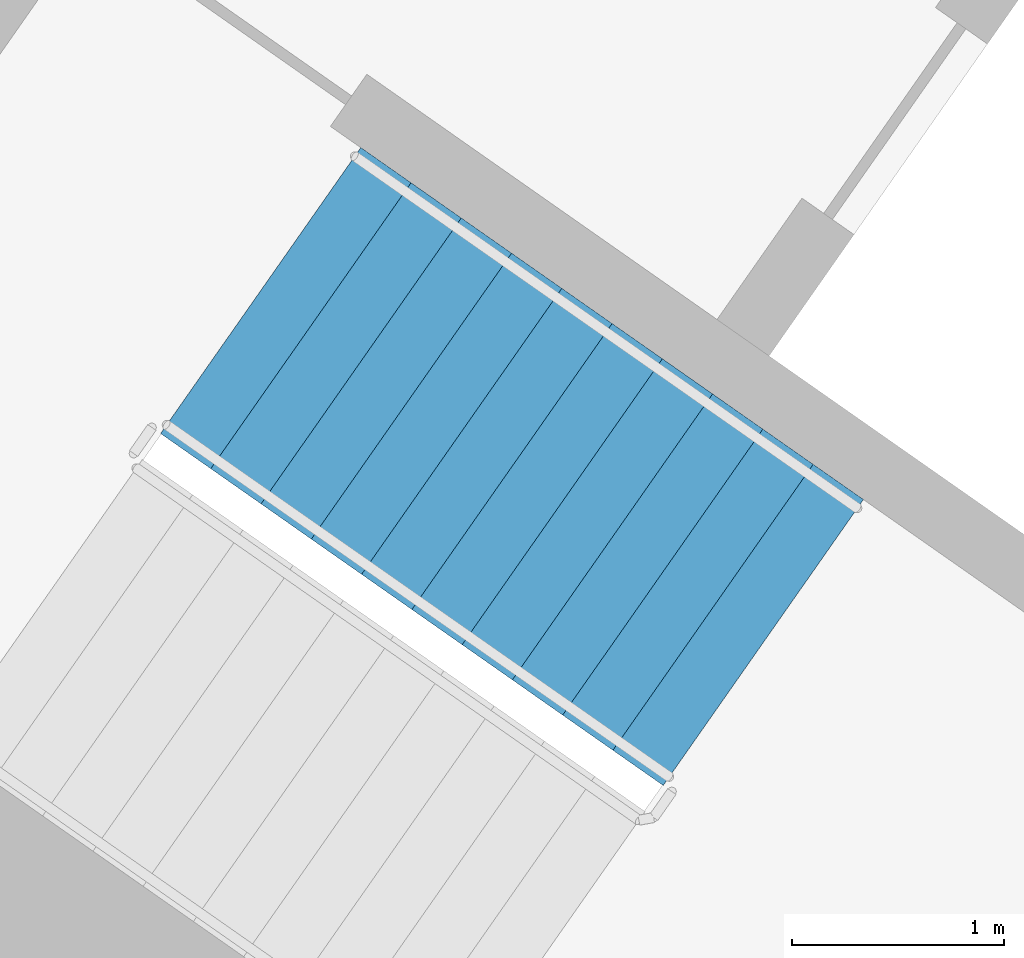
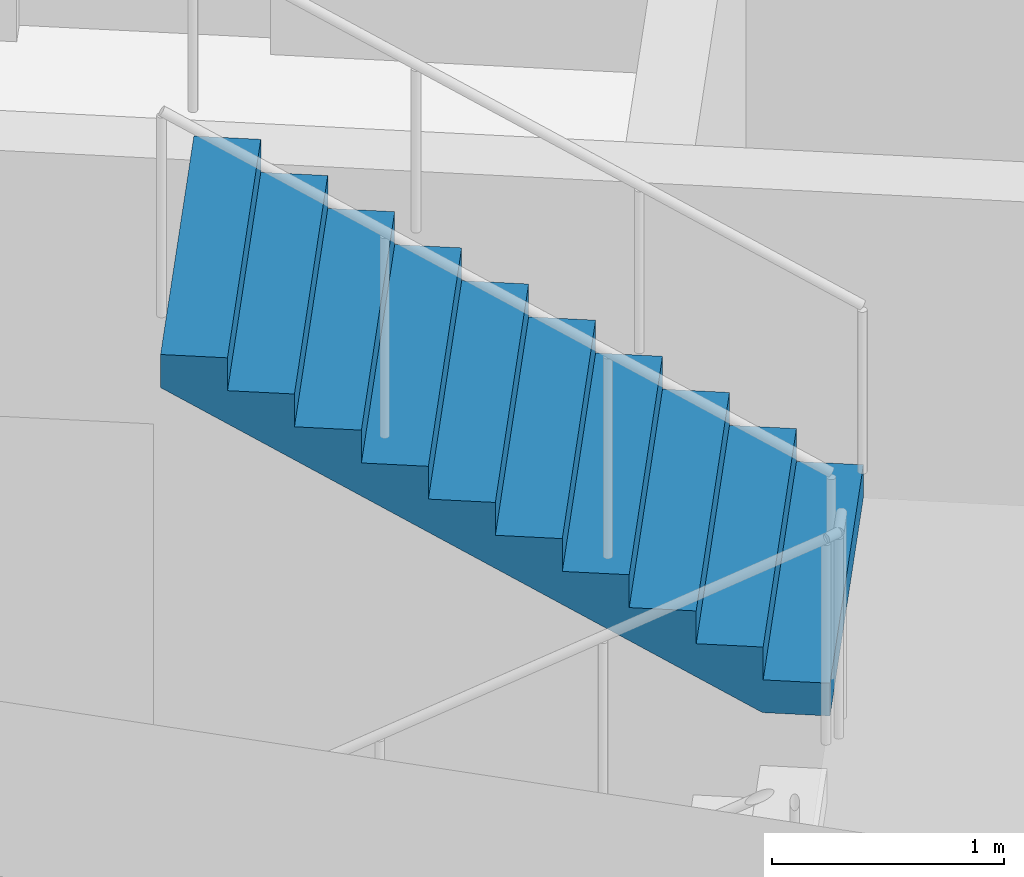
# One storey, part 10 of 29: 1 stair flight, 1 element without a shape of its own.
"""IFC4 building model written with IfcOpenShell, lengths in metres."""

from ifc_helpers import new_model, si_unit, direction, frame, origin, place, context, subcontext, project, spatial, faceted_brep, material, type_object, element, aggregate, save


model = new_model("IFC4")

# Units and contexts
model_context = context("Model", 3, precision=1e-05, world=origin(), true_north=direction((0.0, 1.0)))
body_context = subcontext(model_context, "Body", "Model", "MODEL_VIEW")
ifc_project = project(units=[si_unit("LENGTHUNIT", "METRE"), si_unit("AREAUNIT", "SQUARE_METRE"), si_unit("VOLUMEUNIT", "CUBIC_METRE"), si_unit("PLANEANGLEUNIT", "RADIAN"), si_unit("MASSUNIT", "GRAM", prefix="KILO")], contexts=[model_context])

# Site, building, storey
site_placement = place(None, origin())
site = spatial("IfcSite", under=ifc_project, at=site_placement, CompositionType="ELEMENT")
building_placement = place(site_placement, origin())
building = spatial("IfcBuilding", under=site, at=building_placement, Name="Qamariyya Broadcast Tower", CompositionType="ELEMENT")
storey_placement = place(building_placement, frame((0.0, 0.0, 132.89990234375)))
storey = spatial("IfcBuildingStorey", under=building, at=storey_placement, Name="L30", CompositionType="ELEMENT", Elevation=132.89990234375)

# Stair, stair flight
ifc_material = material(Name="Concrete C50/60", Category="concrete")
stair_type = type_object("IfcStairType", Name="Exit stair 22 risers of 173 mm", PredefinedType="HALF_TURN_STAIR", material=ifc_material)
stair_placement = place(storey_placement, origin())
stair = element("IfcStair", 1, at=stair_placement, inside=storey, type_object=stair_type, Name="L30 Stair W1", PredefinedType="HALF_TURN_STAIR")
stair_flight_type = type_object("IfcStairFlightType", Name="Exit stair flight 11 risers of 173 mm", PredefinedType="STRAIGHT", material=ifc_material)
stair_flight_placement = place(storey_placement, frame((-43.660888671875, -57.17138671875, 1.900146484375), z_axis=(0.0, 0.0, 1.0), x_axis=(-0.819152044289, 0.573576436351, 0.0)))
stair_flight = element("IfcStairFlight", 2, at=stair_flight_placement, type_object=stair_flight_type, Name="ST-W1 flight 2", NumberOfRisers=11, NumberOfTreads=10, PredefinedType="STRAIGHT", RiserHeight=0.172727273, TreadLength=0.29, context=body_context, shape_type="Brep", body=[
    faceted_brep([(0.0, 0.824951171875, 0.0), (0.0, 0.824951171875, 0.172607421875), (0.2900390625, 0.824951171875, 0.172607421875), (0.2900390625, 0.824951171875, 0.345458984375), (0.580078125, 0.824951171875, 0.345458984375), (0.580078125, 0.824951171875, 0.51806640625), (0.8701171875, 0.824951171875, 0.51806640625), (0.8701171875, 0.824951171875, 0.69091796875), (1.159912109375, 0.824951171875, 0.69091796875), (1.159912109375, 0.824951171875, 0.863525390625), (1.449951171875, 0.824951171875, 0.863525390625), (1.449951171875, 0.824951171875, 1.036376953125), (1.739990234375, 0.824951171875, 1.036376953125), (1.739990234375, 0.824951171875, 1.208984375), (2.030029296875, 0.824951171875, 1.208984375), (2.030029296875, 0.824951171875, 1.3818359375), (2.320068359375, 0.824951171875, 1.3818359375), (2.320068359375, 0.824951171875, 1.554443359375), (2.610107421875, 0.824951171875, 1.554443359375), (2.610107421875, 0.824951171875, 1.727294921875), (2.89990234375, 0.824951171875, 1.727294921875), (2.89990234375, 0.824951171875, 1.552734375), (0.29296875, 0.824951171875, 0.0), (0.29296875, -0.824951171875, 0.0), (2.89990234375, -0.824951171875, 1.552734375), (2.89990234375, -0.824951171875, 1.727294921875), (2.610107421875, -0.824951171875, 1.727294921875), (2.610107421875, -0.824951171875, 1.554443359375), (2.320068359375, -0.824951171875, 1.554443359375), (2.320068359375, -0.824951171875, 1.3818359375), (2.030029296875, -0.824951171875, 1.3818359375), (2.030029296875, -0.824951171875, 1.208984375), (1.739990234375, -0.824951171875, 1.208984375), (1.739990234375, -0.824951171875, 1.036376953125), (1.449951171875, -0.824951171875, 1.036376953125), (1.449951171875, -0.824951171875, 0.863525390625), (1.159912109375, -0.824951171875, 0.863525390625), (1.159912109375, -0.824951171875, 0.69091796875), (0.8701171875, -0.824951171875, 0.69091796875), (0.8701171875, -0.824951171875, 0.51806640625), (0.580078125, -0.824951171875, 0.51806640625), (0.580078125, -0.824951171875, 0.345458984375), (0.2900390625, -0.824951171875, 0.345458984375), (0.2900390625, -0.824951171875, 0.172607421875), (0.0, -0.824951171875, 0.172607421875), (0.0, -0.824951171875, 0.0), (0.0, 0.10009765625, 0.0), (0.0, 0.086669921875, 0.0), (0.0, 0.0732421875, 0.0), (0.0, 0.06005859375, 0.0), (0.0, 0.046630859375, 0.0), (0.0, 0.033447265625, 0.0), (0.0, 0.02001953125, 0.0), (0.0, 0.006591796875, 0.0), (0.0, -0.006591796875, 0.0), (0.0, -0.02001953125, 0.0), (0.0, -0.033447265625, 0.0), (0.0, -0.046630859375, 0.0), (0.0, -0.06005859375, 0.0), (0.0, -0.0732421875, 0.0), (0.0, -0.086669921875, 0.0), (0.0, -0.10009765625, 0.0), (0.0, -0.10009765625, 0.172607421875), (0.0, -0.086669921875, 0.172607421875), (0.0, -0.0732421875, 0.172607421875), (0.0, -0.06005859375, 0.172607421875), (0.0, -0.046630859375, 0.172607421875), (0.0, -0.033447265625, 0.172607421875), (0.0, -0.02001953125, 0.172607421875), (0.0, -0.006591796875, 0.172607421875), (0.0, 0.006591796875, 0.172607421875), (0.0, 0.02001953125, 0.172607421875), (0.0, 0.033447265625, 0.172607421875), (0.0, 0.046630859375, 0.172607421875), (0.0, 0.06005859375, 0.172607421875), (0.0, 0.0732421875, 0.172607421875), (0.0, 0.086669921875, 0.172607421875), (0.0, 0.10009765625, 0.172607421875), (0.2900390625, -0.10009765625, 0.172607421875), (0.2900390625, -0.086669921875, 0.172607421875), (0.2900390625, -0.0732421875, 0.172607421875), (0.2900390625, -0.06005859375, 0.172607421875), (0.2900390625, -0.046630859375, 0.172607421875), (0.2900390625, -0.033447265625, 0.172607421875), (0.2900390625, -0.02001953125, 0.172607421875), (0.2900390625, -0.006591796875, 0.172607421875), (0.2900390625, 0.006591796875, 0.172607421875), (0.2900390625, 0.02001953125, 0.172607421875), (0.2900390625, 0.033447265625, 0.172607421875), (0.2900390625, 0.046630859375, 0.172607421875), (0.2900390625, 0.06005859375, 0.172607421875), (0.2900390625, 0.0732421875, 0.172607421875), (0.2900390625, 0.086669921875, 0.172607421875), (0.2900390625, 0.10009765625, 0.172607421875), (0.2900390625, -0.10009765625, 0.345458984375), (0.2900390625, -0.086669921875, 0.345458984375), (0.2900390625, -0.0732421875, 0.345458984375), (0.2900390625, -0.06005859375, 0.345458984375), (0.2900390625, -0.046630859375, 0.345458984375), (0.2900390625, -0.033447265625, 0.345458984375), (0.2900390625, -0.02001953125, 0.345458984375), (0.2900390625, -0.006591796875, 0.345458984375), (0.2900390625, 0.006591796875, 0.345458984375), (0.2900390625, 0.02001953125, 0.345458984375), (0.2900390625, 0.033447265625, 0.345458984375), (0.2900390625, 0.046630859375, 0.345458984375), (0.2900390625, 0.06005859375, 0.345458984375), (0.2900390625, 0.0732421875, 0.345458984375), (0.2900390625, 0.086669921875, 0.345458984375), (0.2900390625, 0.10009765625, 0.345458984375), (0.580078125, -0.10009765625, 0.345458984375), (0.580078125, -0.086669921875, 0.345458984375), (0.580078125, -0.0732421875, 0.345458984375), (0.580078125, -0.06005859375, 0.345458984375), (0.580078125, -0.046630859375, 0.345458984375), (0.580078125, -0.033447265625, 0.345458984375), (0.580078125, -0.02001953125, 0.345458984375), (0.580078125, -0.006591796875, 0.345458984375), (0.580078125, 0.006591796875, 0.345458984375), (0.580078125, 0.02001953125, 0.345458984375), (0.580078125, 0.033447265625, 0.345458984375), (0.580078125, 0.046630859375, 0.345458984375), (0.580078125, 0.06005859375, 0.345458984375), (0.580078125, 0.0732421875, 0.345458984375), (0.580078125, 0.086669921875, 0.345458984375), (0.580078125, 0.10009765625, 0.345458984375), (0.580078125, -0.10009765625, 0.51806640625), (0.580078125, -0.086669921875, 0.51806640625), (0.580078125, -0.0732421875, 0.51806640625), (0.580078125, -0.06005859375, 0.51806640625), (0.580078125, -0.046630859375, 0.51806640625), (0.580078125, -0.033447265625, 0.51806640625), (0.580078125, -0.02001953125, 0.51806640625), (0.580078125, -0.006591796875, 0.51806640625), (0.580078125, 0.006591796875, 0.51806640625), (0.580078125, 0.02001953125, 0.51806640625), (0.580078125, 0.033447265625, 0.51806640625), (0.580078125, 0.046630859375, 0.51806640625), (0.580078125, 0.06005859375, 0.51806640625), (0.580078125, 0.0732421875, 0.51806640625), (0.580078125, 0.086669921875, 0.51806640625), (0.580078125, 0.10009765625, 0.51806640625), (0.8701171875, -0.10009765625, 0.51806640625), (0.8701171875, -0.086669921875, 0.51806640625), (0.8701171875, -0.0732421875, 0.51806640625), (0.8701171875, -0.06005859375, 0.51806640625), (0.8701171875, -0.046630859375, 0.51806640625), (0.8701171875, -0.033447265625, 0.51806640625), (0.8701171875, -0.02001953125, 0.51806640625), (0.8701171875, -0.006591796875, 0.51806640625), (0.8701171875, 0.006591796875, 0.51806640625), (0.8701171875, 0.02001953125, 0.51806640625), (0.8701171875, 0.033447265625, 0.51806640625), (0.8701171875, 0.046630859375, 0.51806640625), (0.8701171875, 0.06005859375, 0.51806640625), (0.8701171875, 0.0732421875, 0.51806640625), (0.8701171875, 0.086669921875, 0.51806640625), (0.8701171875, 0.10009765625, 0.51806640625), (0.8701171875, -0.10009765625, 0.69091796875), (0.8701171875, -0.086669921875, 0.69091796875), (0.8701171875, -0.0732421875, 0.69091796875), (0.8701171875, -0.06005859375, 0.69091796875), (0.8701171875, -0.046630859375, 0.69091796875), (0.8701171875, -0.033447265625, 0.69091796875), (0.8701171875, -0.02001953125, 0.69091796875), (0.8701171875, -0.006591796875, 0.69091796875), (0.8701171875, 0.006591796875, 0.69091796875), (0.8701171875, 0.02001953125, 0.69091796875), (0.8701171875, 0.033447265625, 0.69091796875), (0.8701171875, 0.046630859375, 0.69091796875), (0.8701171875, 0.06005859375, 0.69091796875), (0.8701171875, 0.0732421875, 0.69091796875), (0.8701171875, 0.086669921875, 0.69091796875), (0.8701171875, 0.10009765625, 0.69091796875), (1.159912109375, -0.10009765625, 0.69091796875), (1.159912109375, -0.086669921875, 0.69091796875), (1.159912109375, -0.0732421875, 0.69091796875), (1.159912109375, -0.06005859375, 0.69091796875), (1.159912109375, -0.046630859375, 0.69091796875), (1.159912109375, -0.033447265625, 0.69091796875), (1.159912109375, -0.02001953125, 0.69091796875), (1.159912109375, -0.006591796875, 0.69091796875), (1.159912109375, 0.006591796875, 0.69091796875), (1.159912109375, 0.02001953125, 0.69091796875), (1.159912109375, 0.033447265625, 0.69091796875), (1.159912109375, 0.046630859375, 0.69091796875), (1.159912109375, 0.06005859375, 0.69091796875), (1.159912109375, 0.0732421875, 0.69091796875), (1.159912109375, 0.086669921875, 0.69091796875), (1.159912109375, 0.10009765625, 0.69091796875), (1.159912109375, -0.10009765625, 0.863525390625), (1.159912109375, -0.086669921875, 0.863525390625), (1.159912109375, -0.0732421875, 0.863525390625), (1.159912109375, -0.06005859375, 0.863525390625), (1.159912109375, -0.046630859375, 0.863525390625), (1.159912109375, -0.033447265625, 0.863525390625), (1.159912109375, -0.02001953125, 0.863525390625), (1.159912109375, -0.006591796875, 0.863525390625), (1.159912109375, 0.006591796875, 0.863525390625), (1.159912109375, 0.02001953125, 0.863525390625), (1.159912109375, 0.033447265625, 0.863525390625), (1.159912109375, 0.046630859375, 0.863525390625), (1.159912109375, 0.06005859375, 0.863525390625), (1.159912109375, 0.0732421875, 0.863525390625), (1.159912109375, 0.086669921875, 0.863525390625), (1.159912109375, 0.10009765625, 0.863525390625), (1.449951171875, -0.10009765625, 0.863525390625), (1.449951171875, -0.086669921875, 0.863525390625), (1.449951171875, -0.0732421875, 0.863525390625), (1.449951171875, -0.06005859375, 0.863525390625), (1.449951171875, -0.046630859375, 0.863525390625), (1.449951171875, -0.033447265625, 0.863525390625), (1.449951171875, -0.02001953125, 0.863525390625), (1.449951171875, -0.006591796875, 0.863525390625), (1.449951171875, 0.006591796875, 0.863525390625), (1.449951171875, 0.02001953125, 0.863525390625), (1.449951171875, 0.033447265625, 0.863525390625), (1.449951171875, 0.046630859375, 0.863525390625), (1.449951171875, 0.06005859375, 0.863525390625), (1.449951171875, 0.0732421875, 0.863525390625), (1.449951171875, 0.086669921875, 0.863525390625), (1.449951171875, 0.10009765625, 0.863525390625), (1.449951171875, -0.10009765625, 1.036376953125), (1.449951171875, -0.086669921875, 1.036376953125), (1.449951171875, -0.0732421875, 1.036376953125), (1.449951171875, -0.06005859375, 1.036376953125), (1.449951171875, -0.046630859375, 1.036376953125), (1.449951171875, -0.033447265625, 1.036376953125), (1.449951171875, -0.02001953125, 1.036376953125), (1.449951171875, -0.006591796875, 1.036376953125), (1.449951171875, 0.006591796875, 1.036376953125), (1.449951171875, 0.02001953125, 1.036376953125), (1.449951171875, 0.033447265625, 1.036376953125), (1.449951171875, 0.046630859375, 1.036376953125), (1.449951171875, 0.06005859375, 1.036376953125), (1.449951171875, 0.0732421875, 1.036376953125), (1.449951171875, 0.086669921875, 1.036376953125), (1.449951171875, 0.10009765625, 1.036376953125), (1.739990234375, -0.10009765625, 1.036376953125), (1.739990234375, -0.086669921875, 1.036376953125), (1.739990234375, -0.0732421875, 1.036376953125), (1.739990234375, -0.06005859375, 1.036376953125), (1.739990234375, -0.046630859375, 1.036376953125), (1.739990234375, -0.033447265625, 1.036376953125), (1.739990234375, -0.02001953125, 1.036376953125), (1.739990234375, -0.006591796875, 1.036376953125), (1.739990234375, 0.006591796875, 1.036376953125), (1.739990234375, 0.02001953125, 1.036376953125), (1.739990234375, 0.033447265625, 1.036376953125), (1.739990234375, 0.046630859375, 1.036376953125), (1.739990234375, 0.06005859375, 1.036376953125), (1.739990234375, 0.0732421875, 1.036376953125), (1.739990234375, 0.086669921875, 1.036376953125), (1.739990234375, 0.10009765625, 1.036376953125), (1.739990234375, -0.10009765625, 1.208984375), (1.739990234375, -0.086669921875, 1.208984375), (1.739990234375, -0.0732421875, 1.208984375), (1.739990234375, -0.06005859375, 1.208984375), (1.739990234375, -0.046630859375, 1.208984375), (1.739990234375, -0.033447265625, 1.208984375), (1.739990234375, -0.02001953125, 1.208984375), (1.739990234375, -0.006591796875, 1.208984375), (1.739990234375, 0.006591796875, 1.208984375), (1.739990234375, 0.02001953125, 1.208984375), (1.739990234375, 0.033447265625, 1.208984375), (1.739990234375, 0.046630859375, 1.208984375), (1.739990234375, 0.06005859375, 1.208984375), (1.739990234375, 0.0732421875, 1.208984375), (1.739990234375, 0.086669921875, 1.208984375), (1.739990234375, 0.10009765625, 1.208984375), (2.030029296875, -0.10009765625, 1.208984375), (2.030029296875, -0.086669921875, 1.208984375), (2.030029296875, -0.0732421875, 1.208984375), (2.030029296875, -0.06005859375, 1.208984375), (2.030029296875, -0.046630859375, 1.208984375), (2.030029296875, -0.033447265625, 1.208984375), (2.030029296875, -0.02001953125, 1.208984375), (2.030029296875, -0.006591796875, 1.208984375), (2.030029296875, 0.006591796875, 1.208984375), (2.030029296875, 0.02001953125, 1.208984375), (2.030029296875, 0.033447265625, 1.208984375), (2.030029296875, 0.046630859375, 1.208984375), (2.030029296875, 0.06005859375, 1.208984375), (2.030029296875, 0.0732421875, 1.208984375), (2.030029296875, 0.086669921875, 1.208984375), (2.030029296875, 0.10009765625, 1.208984375), (2.030029296875, -0.10009765625, 1.3818359375), (2.030029296875, -0.086669921875, 1.3818359375), (2.030029296875, -0.0732421875, 1.3818359375), (2.030029296875, -0.06005859375, 1.3818359375), (2.030029296875, -0.046630859375, 1.3818359375), (2.030029296875, -0.033447265625, 1.3818359375), (2.030029296875, -0.02001953125, 1.3818359375), (2.030029296875, -0.006591796875, 1.3818359375), (2.030029296875, 0.006591796875, 1.3818359375), (2.030029296875, 0.02001953125, 1.3818359375), (2.030029296875, 0.033447265625, 1.3818359375), (2.030029296875, 0.046630859375, 1.3818359375), (2.030029296875, 0.06005859375, 1.3818359375), (2.030029296875, 0.0732421875, 1.3818359375), (2.030029296875, 0.086669921875, 1.3818359375), (2.030029296875, 0.10009765625, 1.3818359375), (2.320068359375, -0.10009765625, 1.3818359375), (2.320068359375, -0.086669921875, 1.3818359375), (2.320068359375, -0.0732421875, 1.3818359375), (2.320068359375, -0.06005859375, 1.3818359375), (2.320068359375, -0.046630859375, 1.3818359375), (2.320068359375, -0.033447265625, 1.3818359375), (2.320068359375, -0.02001953125, 1.3818359375), (2.320068359375, -0.006591796875, 1.3818359375), (2.320068359375, 0.006591796875, 1.3818359375), (2.320068359375, 0.02001953125, 1.3818359375), (2.320068359375, 0.033447265625, 1.3818359375), (2.320068359375, 0.046630859375, 1.3818359375), (2.320068359375, 0.06005859375, 1.3818359375), (2.320068359375, 0.0732421875, 1.3818359375), (2.320068359375, 0.086669921875, 1.3818359375), (2.320068359375, 0.10009765625, 1.3818359375), (2.320068359375, -0.10009765625, 1.554443359375), (2.320068359375, -0.086669921875, 1.554443359375), (2.320068359375, -0.0732421875, 1.554443359375), (2.320068359375, -0.06005859375, 1.554443359375), (2.320068359375, -0.046630859375, 1.554443359375), (2.320068359375, -0.033447265625, 1.554443359375), (2.320068359375, -0.02001953125, 1.554443359375), (2.320068359375, -0.006591796875, 1.554443359375), (2.320068359375, 0.006591796875, 1.554443359375), (2.320068359375, 0.02001953125, 1.554443359375), (2.320068359375, 0.033447265625, 1.554443359375), (2.320068359375, 0.046630859375, 1.554443359375), (2.320068359375, 0.06005859375, 1.554443359375), (2.320068359375, 0.0732421875, 1.554443359375), (2.320068359375, 0.086669921875, 1.554443359375), (2.320068359375, 0.10009765625, 1.554443359375), (2.610107421875, -0.10009765625, 1.554443359375), (2.610107421875, -0.086669921875, 1.554443359375), (2.610107421875, -0.0732421875, 1.554443359375), (2.610107421875, -0.06005859375, 1.554443359375), (2.610107421875, -0.046630859375, 1.554443359375), (2.610107421875, -0.033447265625, 1.554443359375), (2.610107421875, -0.02001953125, 1.554443359375), (2.610107421875, -0.006591796875, 1.554443359375), (2.610107421875, 0.006591796875, 1.554443359375), (2.610107421875, 0.02001953125, 1.554443359375), (2.610107421875, 0.033447265625, 1.554443359375), (2.610107421875, 0.046630859375, 1.554443359375), (2.610107421875, 0.06005859375, 1.554443359375), (2.610107421875, 0.0732421875, 1.554443359375), (2.610107421875, 0.086669921875, 1.554443359375), (2.610107421875, 0.10009765625, 1.554443359375), (2.610107421875, -0.10009765625, 1.727294921875), (2.610107421875, -0.086669921875, 1.727294921875), (2.610107421875, -0.0732421875, 1.727294921875), (2.610107421875, -0.06005859375, 1.727294921875), (2.610107421875, -0.046630859375, 1.727294921875), (2.610107421875, -0.033447265625, 1.727294921875), (2.610107421875, -0.02001953125, 1.727294921875), (2.610107421875, -0.006591796875, 1.727294921875), (2.610107421875, 0.006591796875, 1.727294921875), (2.610107421875, 0.02001953125, 1.727294921875), (2.610107421875, 0.033447265625, 1.727294921875), (2.610107421875, 0.046630859375, 1.727294921875), (2.610107421875, 0.06005859375, 1.727294921875), (2.610107421875, 0.0732421875, 1.727294921875), (2.610107421875, 0.086669921875, 1.727294921875), (2.610107421875, 0.10009765625, 1.727294921875), (2.89990234375, -0.10009765625, 1.727294921875), (2.89990234375, -0.086669921875, 1.727294921875), (2.89990234375, -0.0732421875, 1.727294921875), (2.89990234375, -0.06005859375, 1.727294921875), (2.89990234375, -0.046630859375, 1.727294921875), (2.89990234375, -0.033447265625, 1.727294921875), (2.89990234375, -0.02001953125, 1.727294921875), (2.89990234375, -0.006591796875, 1.727294921875), (2.89990234375, 0.006591796875, 1.727294921875), (2.89990234375, 0.02001953125, 1.727294921875), (2.89990234375, 0.033447265625, 1.727294921875), (2.89990234375, 0.046630859375, 1.727294921875), (2.89990234375, 0.06005859375, 1.727294921875), (2.89990234375, 0.0732421875, 1.727294921875), (2.89990234375, 0.086669921875, 1.727294921875), (2.89990234375, 0.10009765625, 1.727294921875), (2.89990234375, -0.10009765625, 1.552734375), (2.89990234375, -0.086669921875, 1.552734375), (2.89990234375, -0.0732421875, 1.552734375), (2.89990234375, -0.06005859375, 1.552734375), (2.89990234375, -0.046630859375, 1.552734375), (2.89990234375, -0.033447265625, 1.552734375), (2.89990234375, -0.02001953125, 1.552734375), (2.89990234375, -0.006591796875, 1.552734375), (2.89990234375, 0.006591796875, 1.552734375), (2.89990234375, 0.02001953125, 1.552734375), (2.89990234375, 0.033447265625, 1.552734375), (2.89990234375, 0.046630859375, 1.552734375), (2.89990234375, 0.06005859375, 1.552734375), (2.89990234375, 0.0732421875, 1.552734375), (2.89990234375, 0.086669921875, 1.552734375), (2.89990234375, 0.10009765625, 1.552734375), (0.29296875, -0.10009765625, 0.0), (0.29296875, -0.086669921875, 0.0), (0.29296875, -0.0732421875, 0.0), (0.29296875, -0.06005859375, 0.0), (0.29296875, -0.046630859375, 0.0), (0.29296875, -0.033447265625, 0.0), (0.29296875, -0.02001953125, 0.0), (0.29296875, -0.006591796875, 0.0), (0.29296875, 0.006591796875, 0.0), (0.29296875, 0.02001953125, 0.0), (0.29296875, 0.033447265625, 0.0), (0.29296875, 0.046630859375, 0.0), (0.29296875, 0.06005859375, 0.0), (0.29296875, 0.0732421875, 0.0), (0.29296875, 0.086669921875, 0.0), (0.29296875, 0.10009765625, 0.0)], [[[0, 1, 2, 3, 4, 5, 6, 7, 8, 9, 10, 11, 12, 13, 14, 15, 16, 17, 18, 19, 20, 21, 22]], [[23, 24, 25, 26, 27, 28, 29, 30, 31, 32, 33, 34, 35, 36, 37, 38, 39, 40, 41, 42, 43, 44, 45]], [[0, 46, 47, 48, 49, 50, 51, 52, 53, 54, 55, 56, 57, 58, 59, 60, 61, 45, 44, 62, 63, 64, 65, 66, 67, 68, 69, 70, 71, 72, 73, 74, 75, 76, 77, 1]], [[1, 77, 76, 75, 74, 73, 72, 71, 70, 69, 68, 67, 66, 65, 64, 63, 62, 44, 43, 78, 79, 80, 81, 82, 83, 84, 85, 86, 87, 88, 89, 90, 91, 92, 93, 2]], [[2, 93, 92, 91, 90, 89, 88, 87, 86, 85, 84, 83, 82, 81, 80, 79, 78, 43, 42, 94, 95, 96, 97, 98, 99, 100, 101, 102, 103, 104, 105, 106, 107, 108, 109, 3]], [[3, 109, 108, 107, 106, 105, 104, 103, 102, 101, 100, 99, 98, 97, 96, 95, 94, 42, 41, 110, 111, 112, 113, 114, 115, 116, 117, 118, 119, 120, 121, 122, 123, 124, 125, 4]], [[4, 125, 124, 123, 122, 121, 120, 119, 118, 117, 116, 115, 114, 113, 112, 111, 110, 41, 40, 126, 127, 128, 129, 130, 131, 132, 133, 134, 135, 136, 137, 138, 139, 140, 141, 5]], [[5, 141, 140, 139, 138, 137, 136, 135, 134, 133, 132, 131, 130, 129, 128, 127, 126, 40, 39, 142, 143, 144, 145, 146, 147, 148, 149, 150, 151, 152, 153, 154, 155, 156, 157, 6]], [[6, 157, 156, 155, 154, 153, 152, 151, 150, 149, 148, 147, 146, 145, 144, 143, 142, 39, 38, 158, 159, 160, 161, 162, 163, 164, 165, 166, 167, 168, 169, 170, 171, 172, 173, 7]], [[7, 173, 172, 171, 170, 169, 168, 167, 166, 165, 164, 163, 162, 161, 160, 159, 158, 38, 37, 174, 175, 176, 177, 178, 179, 180, 181, 182, 183, 184, 185, 186, 187, 188, 189, 8]], [[8, 189, 188, 187, 186, 185, 184, 183, 182, 181, 180, 179, 178, 177, 176, 175, 174, 37, 36, 190, 191, 192, 193, 194, 195, 196, 197, 198, 199, 200, 201, 202, 203, 204, 205, 9]], [[9, 205, 204, 203, 202, 201, 200, 199, 198, 197, 196, 195, 194, 193, 192, 191, 190, 36, 35, 206, 207, 208, 209, 210, 211, 212, 213, 214, 215, 216, 217, 218, 219, 220, 221, 10]], [[10, 221, 220, 219, 218, 217, 216, 215, 214, 213, 212, 211, 210, 209, 208, 207, 206, 35, 34, 222, 223, 224, 225, 226, 227, 228, 229, 230, 231, 232, 233, 234, 235, 236, 237, 11]], [[11, 237, 236, 235, 234, 233, 232, 231, 230, 229, 228, 227, 226, 225, 224, 223, 222, 34, 33, 238, 239, 240, 241, 242, 243, 244, 245, 246, 247, 248, 249, 250, 251, 252, 253, 12]], [[12, 253, 252, 251, 250, 249, 248, 247, 246, 245, 244, 243, 242, 241, 240, 239, 238, 33, 32, 254, 255, 256, 257, 258, 259, 260, 261, 262, 263, 264, 265, 266, 267, 268, 269, 13]], [[13, 269, 268, 267, 266, 265, 264, 263, 262, 261, 260, 259, 258, 257, 256, 255, 254, 32, 31, 270, 271, 272, 273, 274, 275, 276, 277, 278, 279, 280, 281, 282, 283, 284, 285, 14]], [[14, 285, 284, 283, 282, 281, 280, 279, 278, 277, 276, 275, 274, 273, 272, 271, 270, 31, 30, 286, 287, 288, 289, 290, 291, 292, 293, 294, 295, 296, 297, 298, 299, 300, 301, 15]], [[15, 301, 300, 299, 298, 297, 296, 295, 294, 293, 292, 291, 290, 289, 288, 287, 286, 30, 29, 302, 303, 304, 305, 306, 307, 308, 309, 310, 311, 312, 313, 314, 315, 316, 317, 16]], [[16, 317, 316, 315, 314, 313, 312, 311, 310, 309, 308, 307, 306, 305, 304, 303, 302, 29, 28, 318, 319, 320, 321, 322, 323, 324, 325, 326, 327, 328, 329, 330, 331, 332, 333, 17]], [[17, 333, 332, 331, 330, 329, 328, 327, 326, 325, 324, 323, 322, 321, 320, 319, 318, 28, 27, 334, 335, 336, 337, 338, 339, 340, 341, 342, 343, 344, 345, 346, 347, 348, 349, 18]], [[18, 349, 348, 347, 346, 345, 344, 343, 342, 341, 340, 339, 338, 337, 336, 335, 334, 27, 26, 350, 351, 352, 353, 354, 355, 356, 357, 358, 359, 360, 361, 362, 363, 364, 365, 19]], [[19, 365, 364, 363, 362, 361, 360, 359, 358, 357, 356, 355, 354, 353, 352, 351, 350, 26, 25, 366, 367, 368, 369, 370, 371, 372, 373, 374, 375, 376, 377, 378, 379, 380, 381, 20]], [[20, 381, 380, 379, 378, 377, 376, 375, 374, 373, 372, 371, 370, 369, 368, 367, 366, 25, 24, 382, 383, 384, 385, 386, 387, 388, 389, 390, 391, 392, 393, 394, 395, 396, 397, 21]], [[21, 397, 396, 395, 394, 393, 392, 391, 390, 389, 388, 387, 386, 385, 384, 383, 382, 24, 23, 398, 399, 400, 401, 402, 403, 404, 405, 406, 407, 408, 409, 410, 411, 412, 413, 22]], [[22, 413, 412, 411, 410, 409, 408, 407, 406, 405, 404, 403, 402, 401, 400, 399, 398, 23, 45, 61, 60, 59, 58, 57, 56, 55, 54, 53, 52, 51, 50, 49, 48, 47, 46, 0]]]),
])
aggregate(stair, [stair_flight])

save(model, "model.ifc")
